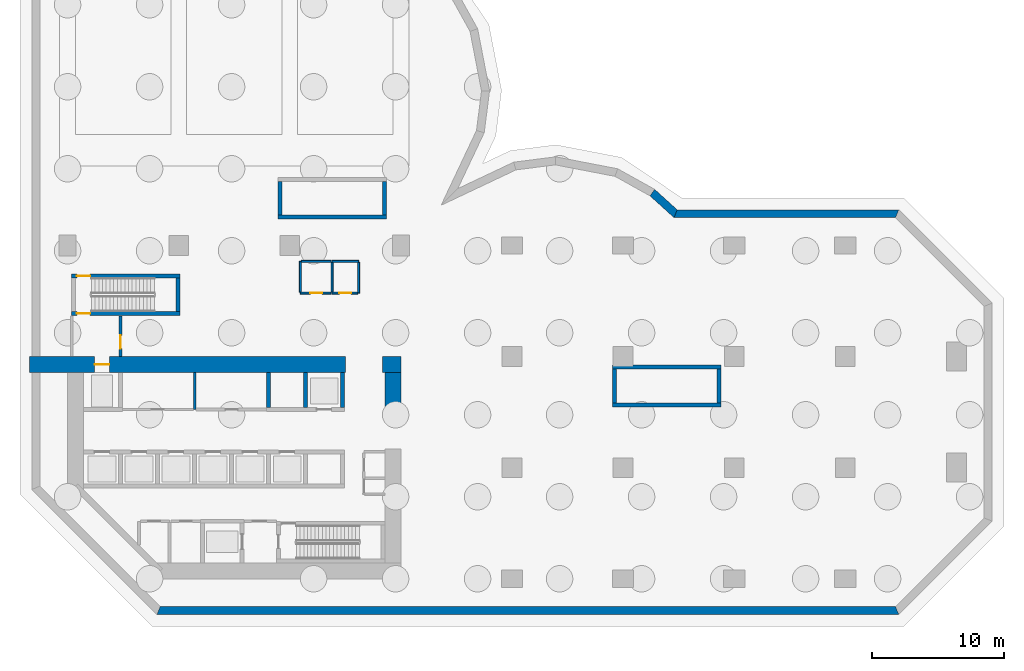
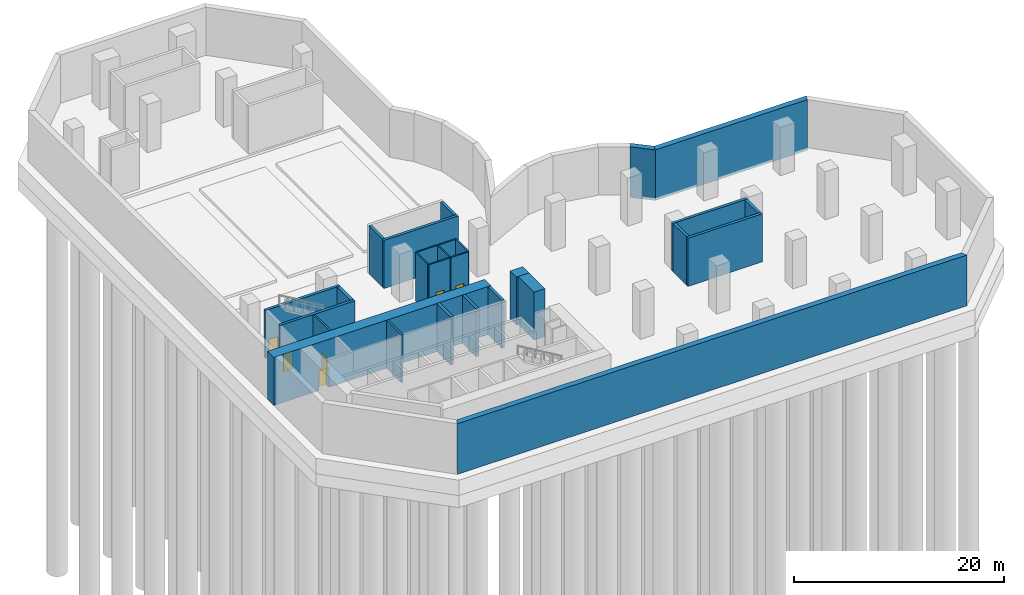
# One storey, part 3 of 6: 28 walls, 6 doors, 6 openings.
"""IFC4 building model written with IfcOpenShell, lengths in metres."""

from ifc_helpers import new_model, si_unit, direction, frame, frame_2d, origin, place, context, subcontext, project, spatial, polyline, rectangle, outline, extrude, material, layer, layer_set, type_object, element, fill, save


model = new_model("IFC4")

# Units and contexts
model_context = context("Model", 3, precision=1e-05, world=origin(), true_north=direction((0.0, 1.0)))
body_context = subcontext(model_context, "Body", "Model", "MODEL_VIEW")
ifc_project = project(units=[si_unit("LENGTHUNIT", "METRE"), si_unit("AREAUNIT", "SQUARE_METRE"), si_unit("VOLUMEUNIT", "CUBIC_METRE"), si_unit("PLANEANGLEUNIT", "RADIAN"), si_unit("MASSUNIT", "GRAM", prefix="KILO")], contexts=[model_context])

# Site, building, storey
site_placement = place(None, origin())
site = spatial("IfcSite", under=ifc_project, at=site_placement, CompositionType="ELEMENT")
building_placement = place(site_placement, origin())
building = spatial("IfcBuilding", under=site, at=building_placement, Name="Brevane Broadcast Tower", CompositionType="ELEMENT")
storey_placement = place(building_placement, frame((0.0, 0.0, -6.0)))
storey = spatial("IfcBuildingStorey", under=building, at=storey_placement, Name="B1", CompositionType="ELEMENT", Elevation=-6.0)

# Walls
ifc_material_1 = material(Name="Gypsum board on steel studs", Category="steel")
ifc_layer_1 = layer(ifc_material_1, 0.14990234375)
ifc_layer_set_1 = layer_set([ifc_layer_1], Name="Core fire partition 150 mm")
wall_type_1 = type_object("IfcWallType", Name="Core fire partition 150 mm", PredefinedType="PARTITIONING", material=ifc_layer_set_1)
wall_1_placement = place(storey_placement, frame((20.0, 24.0, 0.0), z_axis=(0.0, 0.0, 1.0), x_axis=(1.0, 0.0, 0.0)))
element("IfcWall", 1, at=wall_1_placement, inside=storey, type_object=wall_type_1, Name="B1 partition wall P14", PredefinedType="PARTITIONING", context=body_context, shape_type="SweptSolid", body=[
    extrude(rectangle(XDim=2.0, YDim=0.14990234375, at=frame_2d((1.0, 0.0))), origin(), (0.0, 0.0, 1.0), 5.60009765625),
])
wall_2_placement = place(storey_placement, frame((22.0, 23.925048828125, 0.0), z_axis=(0.0, 0.0, 1.0), x_axis=(0.0, -1.0, 0.0)))
element("IfcWall", 2, at=wall_2_placement, inside=storey, type_object=wall_type_1, Name="B1 partition wall P15", PredefinedType="PARTITIONING", context=body_context, shape_type="SweptSolid", body=[
    extrude(rectangle(XDim=2.324951171875, YDim=0.14990234375, at=frame_2d((1.16259765625, 0.0))), origin(), (0.0, 0.0, 1.0), 5.60009765625),
])

# Wall, opening, door
wall_3_placement = place(storey_placement, frame((21.925048828125, 21.60009765625, 0.0), z_axis=(0.0, 0.0, 1.0), x_axis=(-1.0, 0.0, 0.0)))
wall_3 = element("IfcWall", 3, at=wall_3_placement, inside=storey, type_object=wall_type_1, Name="B1 partition wall P16", PredefinedType="PARTITIONING", context=body_context, shape_type="SweptSolid", body=[
    extrude(rectangle(XDim=1.925048828125, YDim=0.14990234375, at=frame_2d((0.96240234375, 0.0))), origin(), (0.0, 0.0, 1.0), 5.60009765625),
])
opening_1_placement = place(wall_3_placement, frame((0.47509765625, 0.0, 0.0)))
opening_1 = element("IfcOpeningElement", 4, at=opening_1_placement, cuts=wall_3, Name="Opening B1-K22", PredefinedType="OPENING", context=body_context, shape_type="SweptSolid", body=[
    extrude(rectangle(XDim=0.89990234375, YDim=2.10009765625, at=frame_2d((0.449951171875, 1.050048828125))), frame((0.0, 0.0849609375, 0.0), z_axis=(0.0, -1.0, 0.0), x_axis=(1.0, 0.0, 0.0)), (0.0, 0.0, 1.0), 0.169921875),
])
ifc_material_2 = material(Name="Timber", Category="wood")
door_type_1 = type_object("IfcDoorType", Name="Toilet door 900 x 2100", OperationType="SINGLE_SWING_LEFT", PredefinedType="DOOR", material=ifc_material_2)
door_1_placement = place(opening_1_placement, origin())
door_1 = element("IfcDoor", 5, at=door_1_placement, inside=storey, type_object=door_type_1, Name="Door B1-K22", OperationType="SINGLE_SWING_RIGHT", OverallHeight=2.10009765625, OverallWidth=0.89990234375, PredefinedType="DOOR", context=body_context, shape_type="SweptSolid", body=[
    extrude(rectangle(XDim=0.89990234375, YDim=2.10009765625, at=frame_2d((0.449951171875, 1.050048828125))), frame((0.0, 0.02490234375, 0.0), z_axis=(0.0, -1.0, 0.0), x_axis=(1.0, 0.0, 0.0)), (0.0, 0.0, 1.0), 0.050048828125),
])
fill(opening_1, door_1)

# Wall
wall_4_placement = place(storey_placement, frame((20.0, 21.675048828125, 0.0), z_axis=(0.0, 0.0, 1.0), x_axis=(0.0, 1.0, 0.0)))
element("IfcWall", 6, at=wall_4_placement, inside=storey, type_object=wall_type_1, Name="B1 partition wall P17", PredefinedType="PARTITIONING", context=body_context, shape_type="SweptSolid", body=[
    extrude(rectangle(XDim=2.25, YDim=0.14990234375, at=frame_2d((1.125, 0.0))), origin(), (0.0, 0.0, 1.0), 5.60009765625),
])

# Wall, opening, door
wall_5_placement = place(storey_placement, frame((19.925048828125, 21.60009765625, 0.0), z_axis=(0.0, 0.0, 1.0), x_axis=(-1.0, 0.0, 0.0)))
wall_5 = element("IfcWall", 7, at=wall_5_placement, inside=storey, type_object=wall_type_1, Name="B1 partition wall P18", PredefinedType="PARTITIONING", context=body_context, shape_type="SweptSolid", body=[
    extrude(rectangle(XDim=2.324951171875, YDim=0.14990234375, at=frame_2d((1.16259765625, 0.0))), origin(), (0.0, 0.0, 1.0), 5.60009765625),
])
opening_2_placement = place(wall_5_placement, frame((0.675048828125, 0.0, 0.0)))
opening_2 = element("IfcOpeningElement", 8, at=opening_2_placement, cuts=wall_5, Name="Opening B1-K23", PredefinedType="OPENING", context=body_context, shape_type="SweptSolid", body=[
    extrude(rectangle(XDim=0.89990234375, YDim=2.10009765625, at=frame_2d((0.449951171875, 1.050048828125))), frame((0.0, 0.0849609375, 0.0), z_axis=(0.0, -1.0, 0.0), x_axis=(1.0, 0.0, 0.0)), (0.0, 0.0, 1.0), 0.169921875),
])
ifc_material_3 = material(Name="Steel", Category="steel")
door_type_2 = type_object("IfcDoorType", Name="Service room door 900 x 2100", OperationType="SINGLE_SWING_LEFT", PredefinedType="DOOR", material=ifc_material_3)
door_2_placement = place(opening_2_placement, origin())
door_2 = element("IfcDoor", 9, at=door_2_placement, inside=storey, type_object=door_type_2, Name="Door B1-K23", OperationType="SINGLE_SWING_LEFT", OverallHeight=2.10009765625, OverallWidth=0.89990234375, PredefinedType="DOOR", context=body_context, shape_type="SweptSolid", body=[
    extrude(rectangle(XDim=0.89990234375, YDim=2.10009765625, at=frame_2d((0.449951171875, 1.050048828125))), frame((0.0, 0.02490234375, 0.0), z_axis=(0.0, -1.0, 0.0), x_axis=(1.0, 0.0, 0.0)), (0.0, 0.0, 1.0), 0.050048828125),
])
fill(opening_2, door_2)

# Walls
wall_6_placement = place(storey_placement, frame((17.60009765625, 21.675048828125, 0.0), z_axis=(0.0, 0.0, 1.0), x_axis=(0.0, 1.0, 0.0)))
element("IfcWall", 10, at=wall_6_placement, inside=storey, type_object=wall_type_1, Name="B1 partition wall P19", PredefinedType="PARTITIONING", context=body_context, shape_type="SweptSolid", body=[
    extrude(rectangle(XDim=2.324951171875, YDim=0.14990234375, at=frame_2d((1.16259765625, 0.0))), origin(), (0.0, 0.0, 1.0), 5.60009765625),
])
wall_7_placement = place(storey_placement, frame((17.675048828125, 24.0, 0.0), z_axis=(0.0, 0.0, 1.0), x_axis=(1.0, 0.0, 0.0)))
element("IfcWall", 11, at=wall_7_placement, inside=storey, type_object=wall_type_1, Name="B1 partition wall P20", PredefinedType="PARTITIONING", context=body_context, shape_type="SweptSolid", body=[
    extrude(rectangle(XDim=2.25, YDim=0.14990234375, at=frame_2d((1.125, 0.0))), origin(), (0.0, 0.0, 1.0), 5.60009765625),
])

# Wall, opening, door
ifc_layer_2 = layer(ifc_material_1, 0.199951171875)
ifc_layer_set_2 = layer_set([ifc_layer_2], Name="Core fire partition 200 mm")
wall_type_2 = type_object("IfcWallType", Name="Core fire partition 200 mm", PredefinedType="PARTITIONING", material=ifc_layer_set_2)
wall_8_placement = place(storey_placement, frame((4.0, 19.887939453125, 0.0), z_axis=(0.0, 0.0, 1.0), x_axis=(0.0, -1.0, 0.0)))
wall_8 = element("IfcWall", 12, at=wall_8_placement, inside=storey, type_object=wall_type_2, Name="B1 partition wall P02", PredefinedType="PARTITIONING", context=body_context, shape_type="SweptSolid", body=[
    extrude(rectangle(XDim=3.075927734375, YDim=0.199951171875, at=frame_2d((1.5380859375, 0.0))), origin(), (0.0, 0.0, 1.0), 5.60009765625),
])
opening_3_placement = place(wall_8_placement, frame((1.488037109375, 0.0, 0.0)))
opening_3 = element("IfcOpeningElement", 13, at=opening_3_placement, cuts=wall_8, Name="Opening B1-K21", PredefinedType="OPENING", context=body_context, shape_type="SweptSolid", body=[
    extrude(rectangle(XDim=1.0, YDim=2.10009765625, at=frame_2d((0.5, 1.050048828125))), frame((0.0, 0.10986328125, 0.0), z_axis=(0.0, -1.0, 0.0), x_axis=(1.0, 0.0, 0.0)), (0.0, 0.0, 1.0), 0.219970703125),
])
door_type_3 = type_object("IfcDoorType", Name="Stair door 1000 x 2100", OperationType="SINGLE_SWING_LEFT", PredefinedType="DOOR", material=ifc_material_3)
door_3_placement = place(opening_3_placement, origin())
door_3 = element("IfcDoor", 14, at=door_3_placement, inside=storey, type_object=door_type_3, Name="Door B1-K21", OperationType="SINGLE_SWING_LEFT", OverallHeight=2.10009765625, OverallWidth=1.0, PredefinedType="DOOR", context=body_context, shape_type="SweptSolid", body=[
    extrude(rectangle(XDim=1.0, YDim=2.10009765625, at=frame_2d((0.5, 1.050048828125))), frame((0.0, 0.02490234375, 0.0), z_axis=(0.0, -1.0, 0.0), x_axis=(1.0, 0.0, 0.0)), (0.0, 0.0, 1.0), 0.050048828125),
])
fill(opening_3, door_3)

# Wall
wall_9_placement = place(storey_placement, frame((9.60009765625, 15.587890625, 0.0), z_axis=(0.0, 0.0, 1.0), x_axis=(0.0, -1.0, 0.0)))
element("IfcWall", 15, at=wall_9_placement, inside=storey, type_object=wall_type_2, Name="B1 partition wall P08", PredefinedType="PARTITIONING", context=body_context, shape_type="SweptSolid", body=[
    extrude(rectangle(XDim=2.787841796875, YDim=0.199951171875, at=frame_2d((1.39404296875, 0.0))), origin(), (0.0, 0.0, 1.0), 5.60009765625),
])

# Wall, opening, door
ifc_material_4 = material(Name="Concrete C80/95", Category="concrete")
ifc_layer_3 = layer(ifc_material_4, 1.199951171875)
ifc_layer_set_3 = layer_set([ifc_layer_3], Name="Core wall 1200 mm C80/95")
wall_type_3 = type_object("IfcWallType", Name="Core wall 1200 mm C80/95", PredefinedType="SHEAR", material=ifc_layer_set_3)
wall_10_placement = place(storey_placement, frame((-2.89990234375, 16.199951171875, 0.0), z_axis=(0.0, 0.0, 1.0), x_axis=(1.0, 0.0, 0.0)))
wall_10 = element("IfcWall", 16, at=wall_10_placement, inside=storey, type_object=wall_type_3, Name="B1 outer wall WN1", PredefinedType="SHEAR", context=body_context, shape_type="SweptSolid", body=[
    extrude(rectangle(XDim=23.89990234375, YDim=1.199951171875, at=frame_2d((11.949951171875, 0.0))), origin(), (0.0, 0.0, 1.0), 5.60009765625),
])
opening_4_placement = place(wall_10_placement, frame((4.949951171875, 0.0, 0.0)))
opening_4 = element("IfcOpeningElement", 17, at=opening_4_placement, cuts=wall_10, Name="Opening LD", PredefinedType="OPENING", context=body_context, shape_type="SweptSolid", body=[
    extrude(rectangle(XDim=1.10009765625, YDim=2.300048828125, at=frame_2d((0.550048828125, 1.14990234375))), frame((0.0, 0.60986328125, 0.0), z_axis=(0.0, -1.0, 0.0), x_axis=(1.0, 0.0, 0.0)), (0.0, 0.0, 1.0), 1.219970703125),
])
ifc_material_5 = material(Name="Stainless steel", Category="steel")
door_type_4 = type_object("IfcDoorType", Name="Lift landing door", OperationType="SLIDING_TO_LEFT", PredefinedType="DOOR", material=ifc_material_5)
door_4_placement = place(opening_4_placement, origin())
door_4 = element("IfcDoor", 18, at=door_4_placement, inside=storey, type_object=door_type_4, Name="Landing door FF1 B1", OperationType="SLIDING_TO_LEFT", OverallHeight=2.300048828125, OverallWidth=1.10009765625, PredefinedType="DOOR", context=body_context, shape_type="SweptSolid", body=[
    extrude(rectangle(XDim=1.10009765625, YDim=2.300048828125, at=frame_2d((0.550048828125, 1.14990234375))), frame((0.0, 0.02490234375, 0.0), z_axis=(0.0, -1.0, 0.0), x_axis=(1.0, 0.0, 0.0)), (0.0, 0.0, 1.0), 0.050048828125),
])
fill(opening_4, door_4)

# Walls
wall_11_placement = place(storey_placement, frame((23.800048828125, 16.199951171875, 0.0), z_axis=(0.0, 0.0, 1.0), x_axis=(1.0, 0.0, 0.0)))
element("IfcWall", 19, at=wall_11_placement, inside=storey, type_object=wall_type_3, Name="B1 outer wall WN2", PredefinedType="SHEAR", context=body_context, shape_type="SweptSolid", body=[
    extrude(rectangle(XDim=1.39990234375, YDim=1.199951171875, at=frame_2d((0.699951171875, 0.0))), origin(), (0.0, 0.0, 1.0), 5.60009765625),
])
wall_12_placement = place(storey_placement, frame((24.60009765625, 12.60009765625, 0.0), z_axis=(0.0, 0.0, 1.0), x_axis=(0.0, 1.0, 0.0)))
element("IfcWall", 20, at=wall_12_placement, inside=storey, type_object=wall_type_3, Name="B1 outer wall WE2", PredefinedType="SHEAR", context=body_context, shape_type="SweptSolid", body=[
    extrude(rectangle(XDim=3.0, YDim=1.199951171875, at=frame_2d((1.5, 0.0))), origin(), (0.0, 0.0, 1.0), 5.60009765625),
])
ifc_layer_4 = layer(ifc_material_4, 0.300048828125)
ifc_layer_set_4 = layer_set([ifc_layer_4], Name="Core wall 300 mm C80/95")
wall_type_4 = type_object("IfcWallType", Name="Core wall 300 mm C80/95", PredefinedType="SHEAR", material=ifc_layer_set_4)
for number, where, z_axis, x_axis, name in (
    (21, (15.199951171875, 12.949951171875, 0.0), (0.0, 0.0, 1.0), (0.0, 1.0, 0.0), "B1 shaft wall SH-N-P152"),
    (22, (18.0, 12.949951171875, 0.0), (0.0, 0.0, 1.0), (0.0, 1.0, 0.0), "B1 shaft wall SH-N-P180"),
    (23, (20.800048828125, 12.949951171875, 0.0), (0.0, 0.0, 1.0), (0.0, 1.0, 0.0), "B1 shaft wall SH-N-P208"),
):
    element("IfcWall", number, at=place(storey_placement, frame(where, z_axis=z_axis, x_axis=x_axis)), inside=storey, type_object=wall_type_4, Name=name, PredefinedType="SHEAR", context=body_context, shape_type="SweptSolid", body=[
        extrude(rectangle(XDim=2.650146484375, YDim=0.300048828125, at=frame_2d((1.3251953125, 0.0))), origin(), (0.0, 0.0, 1.0), 5.60009765625),
    ])

# Wall, opening, door
wall_13_placement = place(storey_placement, frame((8.5, 20.050048828125, 0.0), z_axis=(0.0, 0.0, 1.0), x_axis=(-1.0, 0.0, 0.0)))
wall_13 = element("IfcWall", 24, at=wall_13_placement, inside=storey, type_object=wall_type_4, Name="B1 stair wall ST-1-S", PredefinedType="SHEAR", context=body_context, shape_type="SweptSolid", body=[
    extrude(rectangle(XDim=8.199951171875, YDim=0.300048828125, at=frame_2d((4.10009765625, 0.0))), origin(), (0.0, 0.0, 1.0), 5.60009765625),
])
opening_5_placement = place(wall_13_placement, frame((6.800048828125, 0.0, 0.0)))
opening_5 = element("IfcOpeningElement", 25, at=opening_5_placement, cuts=wall_13, Name="Opening B1-K10", PredefinedType="OPENING", context=body_context, shape_type="SweptSolid", body=[
    extrude(rectangle(XDim=1.0, YDim=2.10009765625, at=frame_2d((0.5, 1.050048828125))), frame((0.0, 0.159912109375, 0.0), z_axis=(0.0, -1.0, 0.0), x_axis=(1.0, 0.0, 0.0)), (0.0, 0.0, 1.0), 0.320068359375),
])
door_5_placement = place(opening_5_placement, origin())
door_5 = element("IfcDoor", 26, at=door_5_placement, inside=storey, type_object=door_type_3, Name="Door B1-K10", OperationType="SINGLE_SWING_RIGHT", OverallHeight=2.10009765625, OverallWidth=1.0, PredefinedType="DOOR", context=body_context, shape_type="SweptSolid", body=[
    extrude(rectangle(XDim=1.0, YDim=2.10009765625, at=frame_2d((0.5, 1.050048828125))), frame((0.0, 0.02490234375, 0.0), z_axis=(0.0, -1.0, 0.0), x_axis=(1.0, 0.0, 0.0)), (0.0, 0.0, 1.0), 0.050048828125),
])
fill(opening_5, door_5)

wall_14_placement = place(storey_placement, frame((0.300048828125, 22.89990234375, 0.0), z_axis=(0.0, 0.0, 1.0), x_axis=(1.0, 0.0, 0.0)))
wall_14 = element("IfcWall", 27, at=wall_14_placement, inside=storey, type_object=wall_type_4, Name="B1 stair wall ST-1-N", PredefinedType="SHEAR", context=body_context, shape_type="SweptSolid", body=[
    extrude(rectangle(XDim=8.199951171875, YDim=0.300048828125, at=frame_2d((4.10009765625, 0.0))), origin(), (0.0, 0.0, 1.0), 5.60009765625),
])
opening_6_placement = place(wall_14_placement, frame((0.39990234375, 0.0, 0.0)))
opening_6 = element("IfcOpeningElement", 28, at=opening_6_placement, cuts=wall_14, Name="Opening B1-K11", PredefinedType="OPENING", context=body_context, shape_type="SweptSolid", body=[
    extrude(rectangle(XDim=1.0, YDim=2.10009765625, at=frame_2d((0.5, 1.050048828125))), frame((0.0, 0.159912109375, 0.0), z_axis=(0.0, -1.0, 0.0), x_axis=(1.0, 0.0, 0.0)), (0.0, 0.0, 1.0), 0.320068359375),
])
door_6_placement = place(opening_6_placement, origin())
door_6 = element("IfcDoor", 29, at=door_6_placement, inside=storey, type_object=door_type_3, Name="Door B1-K11", OperationType="SINGLE_SWING_LEFT", OverallHeight=2.10009765625, OverallWidth=1.0, PredefinedType="DOOR", context=body_context, shape_type="SweptSolid", body=[
    extrude(rectangle(XDim=1.0, YDim=2.10009765625, at=frame_2d((0.5, 1.050048828125))), frame((0.0, 0.02490234375, 0.0), z_axis=(0.0, -1.0, 0.0), x_axis=(1.0, 0.0, 0.0)), (0.0, 0.0, 1.0), 0.050048828125),
])
fill(opening_6, door_6)

# Walls
wall_15_placement = place(storey_placement, frame((8.35009765625, 20.199951171875, 0.0), z_axis=(0.0, 0.0, 1.0), x_axis=(0.0, 1.0, 0.0)))
element("IfcWall", 30, at=wall_15_placement, inside=storey, type_object=wall_type_4, Name="B1 stair wall ST-1-E", PredefinedType="SHEAR", context=body_context, shape_type="SweptSolid", body=[
    extrude(rectangle(XDim=2.550048828125, YDim=0.300048828125, at=frame_2d((1.27490234375, 0.0))), origin(), (0.0, 0.0, 1.0), 5.60009765625),
])
wall_16_placement = place(storey_placement, frame((15.89990234375, 27.35009765625, 0.0), z_axis=(0.0, 0.0, 1.0), x_axis=(1.0, 0.0, 0.0)))
element("IfcWall", 31, at=wall_16_placement, inside=storey, type_object=wall_type_4, Name="B1 stair wall ST-3-S", PredefinedType="SHEAR", context=body_context, shape_type="SweptSolid", body=[
    extrude(rectangle(XDim=8.2001953125, YDim=0.300048828125, at=frame_2d((4.10009765625, 0.0))), origin(), (0.0, 0.0, 1.0), 5.60009765625),
])
for number, where, z_axis, x_axis, name in (
    (32, (16.050048828125, 27.5, 0.0), (0.0, 0.0, 1.0), (0.0, 1.0, 0.0), "B1 stair wall ST-3-W"),
    (33, (23.949951171875, 27.5, 0.0), (0.0, 0.0, 1.0), (0.0, 1.0, 0.0), "B1 stair wall ST-3-E"),
):
    element("IfcWall", number, at=place(storey_placement, frame(where, z_axis=z_axis, x_axis=x_axis)), inside=storey, type_object=wall_type_4, Name=name, PredefinedType="SHEAR", context=body_context, shape_type="SweptSolid", body=[
        extrude(rectangle(XDim=2.550048828125, YDim=0.300048828125, at=frame_2d((1.27490234375, 0.0))), origin(), (0.0, 0.0, 1.0), 5.60009765625),
    ])
for number, where, z_axis, x_axis, name in (
    (34, (41.199951171875, 13.14990234375, 0.0), (0.0, 0.0, 1.0), (1.0, 0.0, 0.0), "B1 stair wall ST-4-S"),
    (35, (41.199951171875, 16.0, 0.0), (0.0, 0.0, 1.0), (1.0, 0.0, 0.0), "B1 stair wall ST-4-N"),
):
    element("IfcWall", number, at=place(storey_placement, frame(where, z_axis=z_axis, x_axis=x_axis)), inside=storey, type_object=wall_type_4, Name=name, PredefinedType="SHEAR", context=body_context, shape_type="SweptSolid", body=[
        extrude(rectangle(XDim=8.199951171875, YDim=0.300048828125, at=frame_2d((4.10009765625, 0.0))), origin(), (0.0, 0.0, 1.0), 5.60009765625),
    ])
for number, where, z_axis, x_axis, name in (
    (36, (41.35009765625, 13.300048828125, 0.0), (0.0, 0.0, 1.0), (0.0, 1.0, 0.0), "B1 stair wall ST-4-W"),
    (37, (49.25, 13.300048828125, 0.0), (0.0, 0.0, 1.0), (0.0, 1.0, 0.0), "B1 stair wall ST-4-E"),
):
    element("IfcWall", number, at=place(storey_placement, frame(where, z_axis=z_axis, x_axis=x_axis)), inside=storey, type_object=wall_type_4, Name=name, PredefinedType="SHEAR", context=body_context, shape_type="SweptSolid", body=[
        extrude(rectangle(XDim=2.550048828125, YDim=0.300048828125, at=frame_2d((1.27490234375, 0.0))), origin(), (0.0, 0.0, 1.0), 5.60009765625),
    ])
ifc_material_6 = material(Name="Concrete C50/60", Category="concrete")
ifc_layer_5 = layer(ifc_material_6, 0.60009765625)
ifc_layer_set_5 = layer_set([ifc_layer_5], Name="RC BASEMENT WALL 600 C50/60")
wall_type_5 = type_object("IfcWallType", Name="RC BASEMENT WALL 600 C50/60", PredefinedType="SOLIDWALL", material=ifc_layer_set_5)
wall_17_placement = place(storey_placement, frame((0.0, 0.0, -0.300048828125)))
element("IfcWall", 38, at=wall_17_placement, inside=storey, type_object=wall_type_5, Name="BW4", PredefinedType="SOLIDWALL", context=body_context, shape_type="SweptSolid", body=[
    extrude(outline(polyline([(62.845458984375, 27.89990234375), (46.088134765625, 27.89990234375), (45.8564453125, 27.300048828125), (62.59716796875, 27.300048828125), (62.845458984375, 27.89990234375)])), origin(), (0.0, 0.0, 1.0), 5.900146484375),
])
wall_18_placement = place(storey_placement, frame((0.0, 0.0, -0.300048828125)))
element("IfcWall", 39, at=wall_18_placement, inside=storey, type_object=wall_type_5, Name="BW5", PredefinedType="SOLIDWALL", context=body_context, shape_type="SweptSolid", body=[
    extrude(outline(polyline([(46.088134765625, 27.89990234375), (44.386962890625, 29.44384765625), (44.03466796875, 28.953125), (45.8564453125, 27.300048828125), (46.088134765625, 27.89990234375)])), origin(), (0.0, 0.0, 1.0), 5.900146484375),
])
wall_19_placement = place(storey_placement, frame((0.0, 0.0, -0.300048828125)))
element("IfcWall", 40, at=wall_19_placement, inside=storey, type_object=wall_type_5, Name="BW21", PredefinedType="SOLIDWALL", context=body_context, shape_type="SweptSolid", body=[
    extrude(outline(polyline([(6.75439453125, -2.699951171875), (62.845458984375, -2.699951171875), (62.59716796875, -2.10009765625), (7.0029296875, -2.10009765625), (6.75439453125, -2.699951171875)])), origin(), (0.0, 0.0, 1.0), 5.900146484375),
])

save(model, "model.ifc")
